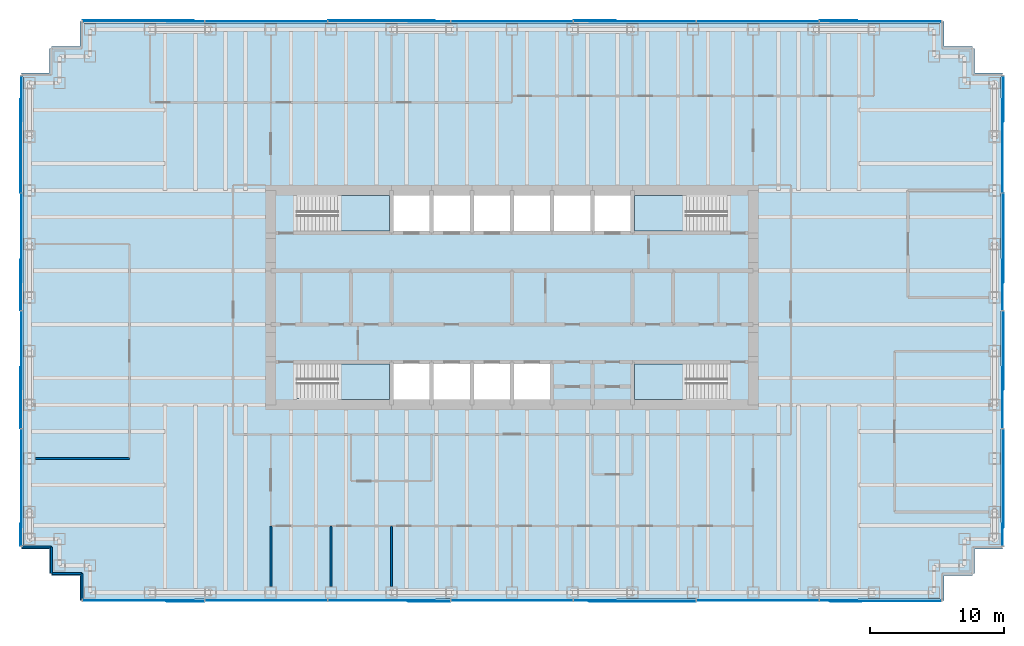
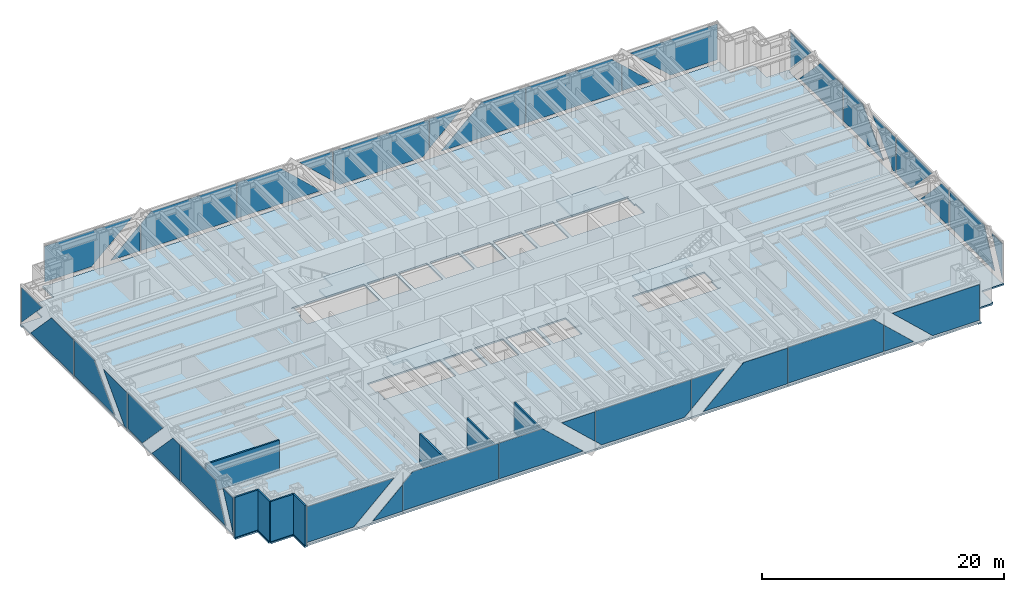
# One storey, part 10 of 16: 38 plates, 8 walls, 5 slabs, 8 elements without a shape of their own.
"""IFC4 building model written with IfcOpenShell, lengths in metres."""

from ifc_helpers import new_model, si_unit, direction, frame, frame_2d, origin, place, context, subcontext, project, spatial, polyline, rectangle, outline, extrude, material, layer, layer_set, type_object, element, aggregate, save


model = new_model("IFC4")

# Units and contexts
model_context = context("Model", 3, precision=1e-05, world=origin(), true_north=direction((0.0, 1.0)))
body_context = subcontext(model_context, "Body", "Model", "MODEL_VIEW")
ifc_project = project(units=[si_unit("LENGTHUNIT", "METRE"), si_unit("AREAUNIT", "SQUARE_METRE"), si_unit("VOLUMEUNIT", "CUBIC_METRE"), si_unit("PLANEANGLEUNIT", "RADIAN"), si_unit("MASSUNIT", "GRAM", prefix="KILO")], contexts=[model_context])

# Site, building, storey
site_placement = place(None, origin())
site = spatial("IfcSite", under=ifc_project, at=site_placement, CompositionType="ELEMENT")
building_placement = place(site_placement, origin())
building = spatial("IfcBuilding", under=site, at=building_placement, Name="Rheinbord Bourse Tower", CompositionType="ELEMENT")
storey_placement = place(building_placement, frame((0.0, 0.0, 219.39990234375)))
storey = spatial("IfcBuildingStorey", under=building, at=storey_placement, Name="L49", CompositionType="ELEMENT", Elevation=219.39990234375)

# Slab
ifc_material_1 = material(Name="Concrete C30/37", Category="concrete")
ifc_layer_1 = layer(ifc_material_1, 0.159912109375)
ifc_layer_set_1 = layer_set([ifc_layer_1], Name="COMPOSITE FLOOR SLAB 160")
slab_type_1 = type_object("IfcSlabType", Name="COMPOSITE FLOOR SLAB 160", PredefinedType="FLOOR", material=ifc_layer_set_1)
slab_1_placement = place(storey_placement, frame((0.0, 0.0, -0.159912109375)))
element("IfcSlab", 1, at=slab_1_placement, inside=storey, type_object=slab_type_1, Name="Floor slab L49", PredefinedType="FLOOR", context=body_context, shape_type="SweptSolid", body=[
    extrude(outline(polyline([(1.64990234375, 3.39990234375), (1.5, 3.39990234375), (1.5, 5.25), (-0.60009765625, 5.25), (-0.60009765625, 5.550048828125), (-0.5, 5.550048828125), (-0.5, 40.449951171875), (-0.60009765625, 40.449951171875), (-0.60009765625, 40.75), (1.5, 40.75), (1.5, 42.60009765625), (1.64990234375, 42.60009765625), (1.64990234375, 42.75), (3.75, 42.75), (3.75, 44.60009765625), (4.050048828125, 44.60009765625), (4.050048828125, 44.5), (67.949951171875, 44.5), (67.949951171875, 44.60009765625), (68.25, 44.60009765625), (68.25, 42.75), (70.35009765625, 42.75), (70.35009765625, 42.60009765625), (70.5, 42.60009765625), (70.5, 40.75), (72.60009765625, 40.75), (72.60009765625, 40.449951171875), (72.5, 40.449951171875), (72.5, 5.550048828125), (72.60009765625, 5.550048828125), (72.60009765625, 5.25), (70.5, 5.25), (70.5, 3.39990234375), (70.35009765625, 3.39990234375), (70.35009765625, 3.25), (68.25, 3.25), (68.25, 1.39990234375), (67.949951171875, 1.39990234375), (67.949951171875, 1.5), (4.050048828125, 1.5), (4.050048828125, 1.39990234375), (3.75, 1.39990234375), (3.75, 3.25), (1.64990234375, 3.25), (1.64990234375, 3.39990234375)]), holes=[polyline([(19.949951171875, 19.050048828125), (26.85009765625, 19.050048828125), (26.85009765625, 16.39990234375), (19.949951171875, 16.39990234375), (19.949951171875, 16.449951171875), (20.10009765625, 16.449951171875), (20.10009765625, 17.64990234375), (19.949951171875, 17.64990234375), (19.949951171875, 19.050048828125)]), polyline([(19.949951171875, 31.60009765625), (26.85009765625, 31.60009765625), (26.85009765625, 28.949951171875), (19.949951171875, 28.949951171875), (19.949951171875, 30.35009765625), (20.10009765625, 30.35009765625), (20.10009765625, 31.550048828125), (19.949951171875, 31.550048828125), (19.949951171875, 31.60009765625)]), polyline([(52.050048828125, 16.39990234375), (45.14990234375, 16.39990234375), (45.14990234375, 19.050048828125), (52.050048828125, 19.050048828125), (52.050048828125, 17.64990234375), (51.89990234375, 17.64990234375), (51.89990234375, 16.449951171875), (52.050048828125, 16.449951171875), (52.050048828125, 16.39990234375)]), polyline([(52.050048828125, 28.949951171875), (45.14990234375, 28.949951171875), (45.14990234375, 31.60009765625), (52.050048828125, 31.60009765625), (52.050048828125, 31.550048828125), (51.89990234375, 31.550048828125), (51.89990234375, 30.35009765625), (52.050048828125, 30.35009765625), (52.050048828125, 28.949951171875)]), polyline([(27.14990234375, 16.39990234375), (27.14990234375, 19.050048828125), (29.85009765625, 19.050048828125), (29.85009765625, 16.39990234375), (27.14990234375, 16.39990234375)]), polyline([(27.14990234375, 28.949951171875), (27.14990234375, 31.60009765625), (29.85009765625, 31.60009765625), (29.85009765625, 28.949951171875), (27.14990234375, 28.949951171875)]), polyline([(30.14990234375, 16.39990234375), (30.14990234375, 19.050048828125), (32.85009765625, 19.050048828125), (32.85009765625, 16.39990234375), (30.14990234375, 16.39990234375)]), polyline([(30.14990234375, 28.949951171875), (30.14990234375, 31.60009765625), (32.85009765625, 31.60009765625), (32.85009765625, 28.949951171875), (30.14990234375, 28.949951171875)]), polyline([(33.14990234375, 16.39990234375), (33.14990234375, 19.050048828125), (35.85009765625, 19.050048828125), (35.85009765625, 16.39990234375), (33.14990234375, 16.39990234375)]), polyline([(33.14990234375, 28.949951171875), (33.14990234375, 31.60009765625), (35.85009765625, 31.60009765625), (35.85009765625, 28.949951171875), (33.14990234375, 28.949951171875)]), polyline([(36.14990234375, 16.39990234375), (36.14990234375, 19.050048828125), (38.85009765625, 19.050048828125), (38.85009765625, 16.39990234375), (36.14990234375, 16.39990234375)]), polyline([(36.14990234375, 28.949951171875), (36.14990234375, 31.60009765625), (38.85009765625, 31.60009765625), (38.85009765625, 28.949951171875), (36.14990234375, 28.949951171875)]), polyline([(39.14990234375, 28.949951171875), (39.14990234375, 31.60009765625), (41.85009765625, 31.60009765625), (41.85009765625, 28.949951171875), (39.14990234375, 28.949951171875)]), polyline([(42.14990234375, 28.949951171875), (42.14990234375, 31.60009765625), (44.85009765625, 31.60009765625), (44.85009765625, 28.949951171875), (42.14990234375, 28.949951171875)])]), origin(), (0.0, 0.0, 1.0), 0.159912109375),
])

# Curtain wall, plates
ifc_material_2 = material(Name="Dark glass and black aluminium", Category="aluminium")
curtain_wall_type = type_object("IfcCurtainWallType", Name="CW2 DARK GLASS CURTAIN WALL", PredefinedType="USERDEFINED", material=ifc_material_2)
curtain_wall_1_placement = place(storey_placement, origin())
curtain_wall_1 = element("IfcCurtainWall", 2, at=curtain_wall_1_placement, inside=storey, type_object=curtain_wall_type, Name="Curtain wall CW2 S L49", ObjectType="UNITISED CURTAIN WALL", PredefinedType="USERDEFINED")
ifc_material_3 = material(Name="Dark tinted triple insulating glass", Category="glass")
ifc_layer_2 = layer(ifc_material_3, 0.050048828125)
ifc_layer_set_2 = layer_set([ifc_layer_2], Name="CW2 DARK GLASS PANEL")
plate_type = type_object("IfcPlateType", Name="CW2 DARK GLASS PANEL", PredefinedType="CURTAIN_PANEL", material=ifc_layer_set_2)
plate_1_placement = place(storey_placement, frame((3.969970703125, 1.375, 0.300048828125), z_axis=(0.0, 1.0, 0.0), x_axis=(0.0, 0.0, 1.0)))
plate_1 = element("IfcPlate", 3, at=plate_1_placement, type_object=plate_type, Name="CW2 glass facet 1", PredefinedType="CURTAIN_PANEL", context=body_context, shape_type="SweptSolid", body=[
    extrude(outline(polyline([(0.0, 0.0), (3.60009765625, 0.0), (3.60009765625, 8.322021484375), (0.0, 4.465087890625), (0.0, 0.0)])), origin(), (0.0, 0.0, 1.0), 0.050048828125),
])
plate_2_placement = place(storey_placement, frame((13.035888671875, 1.31982421875, 0.300048828125), z_axis=(0.0, 1.0, 0.0), x_axis=(-1.0, 0.0, 0.0)))
plate_2 = element("IfcPlate", 4, at=plate_2_placement, type_object=plate_type, Name="CW2 glass facet 2", PredefinedType="CURTAIN_PANEL", context=body_context, shape_type="SweptSolid", body=[
    extrude(outline(polyline([(0.0, 0.0), (2.827880859375, 0.0), (0.0, 2.64013671875), (0.0, 0.0)])), origin(), (0.0, 0.0, 1.0), 0.050048828125),
])
plate_3_placement = place(storey_placement, frame((22.2080078125, 1.375, 3.900146484375), z_axis=(0.0, 1.0, 0.0), x_axis=(0.0, 0.0, -1.0)))
plate_3 = element("IfcPlate", 5, at=plate_3_placement, type_object=plate_type, Name="CW2 glass facet 1", PredefinedType="CURTAIN_PANEL", context=body_context, shape_type="SweptSolid", body=[
    extrude(outline(polyline([(0.0, 0.0), (3.60009765625, 0.0), (3.60009765625, 9.10205078125), (0.89501953125, 9.10205078125), (0.0, 8.14306640625), (0.0, 0.0)])), origin(), (0.0, 0.0, 1.0), 0.050048828125),
])
plate_4_placement = place(storey_placement, frame((22.278076171875, 1.375, 0.300048828125), z_axis=(0.0, 1.0, 0.0), x_axis=(0.0, 0.0, 1.0)))
plate_4 = element("IfcPlate", 6, at=plate_4_placement, type_object=plate_type, Name="CW2 glass facet 1", PredefinedType="CURTAIN_PANEL", context=body_context, shape_type="SweptSolid", body=[
    extrude(outline(polyline([(0.0, 0.0), (3.60009765625, 0.0), (3.60009765625, 4.156982421875), (0.0, 8.013916015625), (0.0, 0.0)])), origin(), (0.0, 0.0, 1.0), 0.050048828125),
])
plate_5_placement = place(storey_placement, frame((31.37890625, 1.31982421875, 3.900146484375), z_axis=(0.0, 1.0, 0.0), x_axis=(0.0, 0.0, -1.0)))
plate_5 = element("IfcPlate", 7, at=plate_5_placement, type_object=plate_type, Name="CW2 glass facet 2", PredefinedType="CURTAIN_PANEL", context=body_context, shape_type="SweptSolid", body=[
    extrude(outline(polyline([(0.0, 0.0), (2.9599609375, 0.0), (0.0, 3.1708984375), (0.0, 0.0)])), origin(), (0.0, 0.0, 1.0), 0.050048828125),
])
plate_6_placement = place(storey_placement, frame((32.06494140625, 1.375, 0.300048828125), z_axis=(0.0, 1.0, 0.0), x_axis=(-0.731026361921, 0.0, 0.682349220104)))
plate_6 = element("IfcPlate", 8, at=plate_6_placement, type_object=plate_type, Name="CW2 glass facet 1", PredefinedType="CURTAIN_PANEL", context=body_context, shape_type="SweptSolid", body=[
    extrude(outline(polyline([(0.0, 0.0), (0.842529296875, 0.0), (2.90673828125, 2.21142578125), (-3.7470703125, 8.422119140625), (-5.811279296875, 6.210693359375), (-5.753173828125, 5.3701171875), (0.0, 0.0)])), origin(), (0.0, 0.0, 1.0), 0.050048828125),
])
plate_7_placement = place(storey_placement, frame((40.62109375, 1.375, 3.900146484375), z_axis=(0.0, 1.0, 0.0), x_axis=(1.0, 0.0, 0.0)))
plate_7 = element("IfcPlate", 9, at=plate_7_placement, type_object=plate_type, Name="CW2 glass facet 1", PredefinedType="CURTAIN_PANEL", context=body_context, shape_type="SweptSolid", body=[
    extrude(outline(polyline([(0.0, 0.0), (3.1708984375, 0.0), (0.0, 2.9599609375), (0.0, 0.0)])), origin(), (0.0, 0.0, 1.0), 0.050048828125),
])
plate_8_placement = place(storey_placement, frame((49.721923828125, 1.31982421875, 3.900146484375), z_axis=(0.0, 1.0, 0.0), x_axis=(0.0, 0.0, -1.0)))
plate_8 = element("IfcPlate", 10, at=plate_8_placement, type_object=plate_type, Name="CW2 glass facet 2", PredefinedType="CURTAIN_PANEL", context=body_context, shape_type="SweptSolid", body=[
    extrude(outline(polyline([(0.0, 0.0), (3.60009765625, 0.0), (3.60009765625, 8.013916015625), (0.0, 4.156982421875), (0.0, 0.0)])), origin(), (0.0, 0.0, 1.0), 0.050048828125),
])
plate_9_placement = place(storey_placement, frame((58.89404296875, 1.375, 0.300048828125), z_axis=(0.0, 1.0, 0.0), x_axis=(-1.0, 0.0, 0.0)))
plate_9 = element("IfcPlate", 11, at=plate_9_placement, type_object=plate_type, Name="CW2 glass facet 1", PredefinedType="CURTAIN_PANEL", context=body_context, shape_type="SweptSolid", body=[
    extrude(outline(polyline([(0.0, 0.0), (9.10205078125, 0.0), (9.10205078125, 3.60009765625), (0.958984375, 3.60009765625), (0.0, 2.705078125), (0.0, 0.0)])), origin(), (0.0, 0.0, 1.0), 0.050048828125),
])
plate_10_placement = place(storey_placement, frame((58.964111328125, 1.375, 0.300048828125), z_axis=(0.0, 1.0, 0.0), x_axis=(0.0, 0.0, 1.0)))
plate_10 = element("IfcPlate", 12, at=plate_10_placement, type_object=plate_type, Name="CW2 glass facet 1", PredefinedType="CURTAIN_PANEL", context=body_context, shape_type="SweptSolid", body=[
    extrude(outline(polyline([(0.0, 0.0), (2.64013671875, 0.0), (0.0, 2.827880859375), (0.0, 0.0)])), origin(), (0.0, 0.0, 1.0), 0.050048828125),
])
plate_11_placement = place(storey_placement, frame((68.030029296875, 1.31982421875, 3.900146484375), z_axis=(0.0, 1.0, 0.0), x_axis=(0.0, 0.0, -1.0)))
plate_11 = element("IfcPlate", 13, at=plate_11_placement, type_object=plate_type, Name="CW2 glass facet 2", PredefinedType="CURTAIN_PANEL", context=body_context, shape_type="SweptSolid", body=[
    extrude(outline(polyline([(0.0, 0.0), (3.60009765625, 0.0), (3.60009765625, 4.465087890625), (0.0, 8.322021484375), (0.0, 0.0)])), origin(), (0.0, 0.0, 1.0), 0.050048828125),
])
aggregate(curtain_wall_1, [plate_1, plate_2, plate_3, plate_4, plate_5, plate_6, plate_7, plate_8, plate_9, plate_10, plate_11])

curtain_wall_2_placement = place(storey_placement, origin())
curtain_wall_2 = element("IfcCurtainWall", 14, at=curtain_wall_2_placement, inside=storey, type_object=curtain_wall_type, Name="Curtain wall CW2 E L49", ObjectType="UNITISED CURTAIN WALL", PredefinedType="USERDEFINED")
plate_12_placement = place(storey_placement, frame((72.625, 5.469970703125, 0.300048828125), z_axis=(-1.0, 0.0, 0.0), x_axis=(0.0, 0.0, 1.0)))
plate_12 = element("IfcPlate", 15, at=plate_12_placement, type_object=plate_type, Name="CW2 glass facet 1", PredefinedType="CURTAIN_PANEL", context=body_context, shape_type="SweptSolid", body=[
    extrude(outline(polyline([(0.0, 0.0), (3.60009765625, 0.0), (3.60009765625, 1.717041015625), (0.0, 0.0029296875), (0.0, 0.0)])), origin(), (0.0, 0.0, 1.0), 0.050048828125),
])
plate_13_placement = place(storey_placement, frame((72.68017578125, 14.1650390625, 3.900146484375), z_axis=(-1.0, 0.0, 0.0), x_axis=(0.0, 0.0, -1.0)))
plate_13 = element("IfcPlate", 16, at=plate_13_placement, type_object=plate_type, Name="CW2 glass facet 2", PredefinedType="CURTAIN_PANEL", context=body_context, shape_type="SweptSolid", body=[
    extrude(outline(polyline([(0.0, 0.0), (3.60009765625, 0.0), (3.60009765625, 7.35205078125), (0.0, 5.637939453125), (0.0, 0.0)])), origin(), (0.0, 0.0, 1.0), 0.050048828125),
])
plate_14_placement = place(storey_placement, frame((72.625, 14.235107421875, 0.300048828125), z_axis=(-1.0, 0.0, 0.0), x_axis=(0.0, 0.0, 1.0)))
plate_14 = element("IfcPlate", 17, at=plate_14_placement, type_object=plate_type, Name="CW2 glass facet 1", PredefinedType="CURTAIN_PANEL", context=body_context, shape_type="SweptSolid", body=[
    extrude(outline(polyline([(0.0, 0.0), (3.60009765625, 0.0), (3.60009765625, 1.21484375), (0.0, 4.643798828125), (0.0, 0.0)])), origin(), (0.0, 0.0, 1.0), 0.050048828125),
])
plate_15_placement = place(storey_placement, frame((72.68017578125, 22.965087890625, 3.900146484375), z_axis=(-1.0, 0.0, 0.0), x_axis=(0.0, 0.0, -1.0)))
plate_15 = element("IfcPlate", 18, at=plate_15_placement, type_object=plate_type, Name="CW2 glass facet 2", PredefinedType="CURTAIN_PANEL", context=body_context, shape_type="SweptSolid", body=[
    extrude(outline(polyline([(0.0, 0.0), (3.60009765625, 0.0), (3.60009765625, 2.4150390625), (0.0, 5.843994140625), (0.0, 0.0)])), origin(), (0.0, 0.0, 1.0), 0.050048828125),
])
plate_16_placement = place(storey_placement, frame((72.625, 23.034912109375, 0.300048828125), z_axis=(-1.0, 0.0, 0.0), x_axis=(0.0, 0.0, 1.0)))
plate_16 = element("IfcPlate", 19, at=plate_16_placement, type_object=plate_type, Name="CW2 glass facet 1", PredefinedType="CURTAIN_PANEL", context=body_context, shape_type="SweptSolid", body=[
    extrude(outline(polyline([(0.0, 0.0), (3.60009765625, 0.0), (3.60009765625, 3.843994140625), (0.0, 0.4150390625), (0.0, 0.0)])), origin(), (0.0, 0.0, 1.0), 0.050048828125),
])
plate_17_placement = place(storey_placement, frame((72.68017578125, 31.764892578125, 3.900146484375), z_axis=(-1.0, 0.0, 0.0), x_axis=(0.0, 0.0, -1.0)))
plate_17 = element("IfcPlate", 20, at=plate_17_placement, type_object=plate_type, Name="CW2 glass facet 2", PredefinedType="CURTAIN_PANEL", context=body_context, shape_type="SweptSolid", body=[
    extrude(outline(polyline([(0.0, 0.0), (3.60009765625, 0.0), (3.60009765625, 6.643798828125), (0.0, 3.21484375), (0.0, 0.0)])), origin(), (0.0, 0.0, 1.0), 0.050048828125),
])
plate_18_placement = place(storey_placement, frame((72.625, 31.8349609375, 0.300048828125), z_axis=(-1.0, 0.0, 0.0), x_axis=(0.0, 0.0, 1.0)))
plate_18 = element("IfcPlate", 21, at=plate_18_placement, type_object=plate_type, Name="CW2 glass facet 1", PredefinedType="CURTAIN_PANEL", context=body_context, shape_type="SweptSolid", body=[
    extrude(outline(polyline([(0.0, 0.0), (3.60009765625, 0.0), (3.60009765625, 3.614990234375), (0.0, 7.0439453125), (0.0, 0.0)])), origin(), (0.0, 0.0, 1.0), 0.050048828125),
])
plate_19_placement = place(storey_placement, frame((72.68017578125, 40.530029296875, 3.900146484375), z_axis=(-1.0, 0.0, 0.0), x_axis=(0.0, 0.0, -1.0)))
plate_19 = element("IfcPlate", 22, at=plate_19_placement, type_object=plate_type, Name="CW2 glass facet 2", PredefinedType="CURTAIN_PANEL", context=body_context, shape_type="SweptSolid", body=[
    extrude(outline(polyline([(0.0, 0.0), (3.5791015625, 0.0), (0.0, 3.408935546875), (0.0, 0.0)])), origin(), (0.0, 0.0, 1.0), 0.050048828125),
])
aggregate(curtain_wall_2, [plate_12, plate_13, plate_14, plate_15, plate_16, plate_17, plate_18, plate_19])

curtain_wall_3_placement = place(storey_placement, origin())
curtain_wall_3 = element("IfcCurtainWall", 23, at=curtain_wall_3_placement, inside=storey, type_object=curtain_wall_type, Name="Curtain wall CW2 N L49", ObjectType="UNITISED CURTAIN WALL", PredefinedType="USERDEFINED")
plate_20_placement = place(storey_placement, frame((68.030029296875, 44.625, 0.300048828125), z_axis=(0.0, -1.0, 0.0), x_axis=(0.0, 0.0, 1.0)))
plate_20 = element("IfcPlate", 24, at=plate_20_placement, type_object=plate_type, Name="CW2 glass facet 1", PredefinedType="CURTAIN_PANEL", context=body_context, shape_type="SweptSolid", body=[
    extrude(outline(polyline([(0.0, 0.0), (3.60009765625, 0.0), (3.60009765625, 8.322021484375), (0.0, 4.465087890625), (0.0, 0.0)])), origin(), (0.0, 0.0, 1.0), 0.050048828125),
])
plate_21_placement = place(storey_placement, frame((58.964111328125, 44.68017578125, 0.300048828125), z_axis=(0.0, -1.0, 0.0), x_axis=(1.0, 0.0, 0.0)))
plate_21 = element("IfcPlate", 25, at=plate_21_placement, type_object=plate_type, Name="CW2 glass facet 2", PredefinedType="CURTAIN_PANEL", context=body_context, shape_type="SweptSolid", body=[
    extrude(outline(polyline([(0.0, 0.0), (2.827880859375, 0.0), (0.0, 2.64013671875), (0.0, 0.0)])), origin(), (0.0, 0.0, 1.0), 0.050048828125),
])
plate_22_placement = place(storey_placement, frame((49.7919921875, 44.625, 3.900146484375), z_axis=(0.0, -1.0, 0.0), x_axis=(0.0, 0.0, -1.0)))
plate_22 = element("IfcPlate", 26, at=plate_22_placement, type_object=plate_type, Name="CW2 glass facet 1", PredefinedType="CURTAIN_PANEL", context=body_context, shape_type="SweptSolid", body=[
    extrude(outline(polyline([(0.0, 0.0), (3.60009765625, 0.0), (3.60009765625, 9.10205078125), (0.89501953125, 9.10205078125), (0.0, 8.14306640625), (0.0, 0.0)])), origin(), (0.0, 0.0, 1.0), 0.050048828125),
])
plate_23_placement = place(storey_placement, frame((49.721923828125, 44.625, 0.300048828125), z_axis=(0.0, -1.0, 0.0), x_axis=(0.0, 0.0, 1.0)))
plate_23 = element("IfcPlate", 27, at=plate_23_placement, type_object=plate_type, Name="CW2 glass facet 1", PredefinedType="CURTAIN_PANEL", context=body_context, shape_type="SweptSolid", body=[
    extrude(outline(polyline([(0.0, 0.0), (3.60009765625, 0.0), (3.60009765625, 4.156982421875), (0.0, 8.013916015625), (0.0, 0.0)])), origin(), (0.0, 0.0, 1.0), 0.050048828125),
])
plate_24_placement = place(storey_placement, frame((40.62109375, 44.68017578125, 3.900146484375), z_axis=(0.0, -1.0, 0.0), x_axis=(0.0, 0.0, -1.0)))
plate_24 = element("IfcPlate", 28, at=plate_24_placement, type_object=plate_type, Name="CW2 glass facet 2", PredefinedType="CURTAIN_PANEL", context=body_context, shape_type="SweptSolid", body=[
    extrude(outline(polyline([(0.0, 0.0), (2.9599609375, 0.0), (0.0, 3.1708984375), (0.0, 0.0)])), origin(), (0.0, 0.0, 1.0), 0.050048828125),
])
plate_25_placement = place(storey_placement, frame((39.93505859375, 44.625, 0.300048828125), z_axis=(0.0, -1.0, 0.0), x_axis=(0.731026361921, 0.0, 0.682349220104)))
plate_25 = element("IfcPlate", 29, at=plate_25_placement, type_object=plate_type, Name="CW2 glass facet 1", PredefinedType="CURTAIN_PANEL", context=body_context, shape_type="SweptSolid", body=[
    extrude(outline(polyline([(0.0, 0.0), (0.842529296875, 0.0), (2.90673828125, 2.21142578125), (-3.7470703125, 8.422119140625), (-5.811279296875, 6.210693359375), (-5.753173828125, 5.3701171875), (0.0, 0.0)])), origin(), (0.0, 0.0, 1.0), 0.050048828125),
])
plate_26_placement = place(storey_placement, frame((31.37890625, 44.625, 3.900146484375), z_axis=(0.0, -1.0, 0.0), x_axis=(-1.0, 0.0, 0.0)))
plate_26 = element("IfcPlate", 30, at=plate_26_placement, type_object=plate_type, Name="CW2 glass facet 1", PredefinedType="CURTAIN_PANEL", context=body_context, shape_type="SweptSolid", body=[
    extrude(outline(polyline([(0.0, 0.0), (3.1708984375, 0.0), (0.0, 2.9599609375), (0.0, 0.0)])), origin(), (0.0, 0.0, 1.0), 0.050048828125),
])
plate_27_placement = place(storey_placement, frame((22.278076171875, 44.68017578125, 3.900146484375), z_axis=(0.0, -1.0, 0.0), x_axis=(0.0, 0.0, -1.0)))
plate_27 = element("IfcPlate", 31, at=plate_27_placement, type_object=plate_type, Name="CW2 glass facet 2", PredefinedType="CURTAIN_PANEL", context=body_context, shape_type="SweptSolid", body=[
    extrude(outline(polyline([(0.0, 0.0), (3.60009765625, 0.0), (3.60009765625, 8.013916015625), (0.0, 4.156982421875), (0.0, 0.0)])), origin(), (0.0, 0.0, 1.0), 0.050048828125),
])
plate_28_placement = place(storey_placement, frame((13.10595703125, 44.625, 0.300048828125), z_axis=(0.0, -1.0, 0.0), x_axis=(1.0, 0.0, 0.0)))
plate_28 = element("IfcPlate", 32, at=plate_28_placement, type_object=plate_type, Name="CW2 glass facet 1", PredefinedType="CURTAIN_PANEL", context=body_context, shape_type="SweptSolid", body=[
    extrude(outline(polyline([(0.0, 0.0), (9.10205078125, 0.0), (9.10205078125, 3.60009765625), (0.958984375, 3.60009765625), (0.0, 2.705078125), (0.0, 0.0)])), origin(), (0.0, 0.0, 1.0), 0.050048828125),
])
plate_29_placement = place(storey_placement, frame((13.035888671875, 44.625, 0.300048828125), z_axis=(0.0, -1.0, 0.0), x_axis=(0.0, 0.0, 1.0)))
plate_29 = element("IfcPlate", 33, at=plate_29_placement, type_object=plate_type, Name="CW2 glass facet 1", PredefinedType="CURTAIN_PANEL", context=body_context, shape_type="SweptSolid", body=[
    extrude(outline(polyline([(0.0, 0.0), (2.64013671875, 0.0), (0.0, 2.827880859375), (0.0, 0.0)])), origin(), (0.0, 0.0, 1.0), 0.050048828125),
])
plate_30_placement = place(storey_placement, frame((3.969970703125, 44.68017578125, 3.900146484375), z_axis=(0.0, -1.0, 0.0), x_axis=(0.0, 0.0, -1.0)))
plate_30 = element("IfcPlate", 34, at=plate_30_placement, type_object=plate_type, Name="CW2 glass facet 2", PredefinedType="CURTAIN_PANEL", context=body_context, shape_type="SweptSolid", body=[
    extrude(outline(polyline([(0.0, 0.0), (3.60009765625, 0.0), (3.60009765625, 4.465087890625), (0.0, 8.322021484375), (0.0, 0.0)])), origin(), (0.0, 0.0, 1.0), 0.050048828125),
])
aggregate(curtain_wall_3, [plate_20, plate_21, plate_22, plate_23, plate_24, plate_25, plate_26, plate_27, plate_28, plate_29, plate_30])

curtain_wall_4_placement = place(storey_placement, origin())
curtain_wall_4 = element("IfcCurtainWall", 35, at=curtain_wall_4_placement, inside=storey, type_object=curtain_wall_type, Name="Curtain wall CW2 W L49", ObjectType="UNITISED CURTAIN WALL", PredefinedType="USERDEFINED")
plate_31_placement = place(storey_placement, frame((-0.625, 40.530029296875, 3.900146484375), z_axis=(1.0, 0.0, 0.0), x_axis=(0.0, -1.0, 0.0)))
plate_31 = element("IfcPlate", 36, at=plate_31_placement, type_object=plate_type, Name="CW2 glass facet 1", PredefinedType="CURTAIN_PANEL", context=body_context, shape_type="SweptSolid", body=[
    extrude(outline(polyline([(0.0, 0.0), (3.408935546875, 0.0), (0.0, 3.5791015625), (0.0, 0.0)])), origin(), (0.0, 0.0, 1.0), 0.050048828125),
])
plate_32_placement = place(storey_placement, frame((-0.68017578125, 31.8349609375, 3.900146484375), z_axis=(1.0, 0.0, 0.0), x_axis=(0.0, 0.0, -1.0)))
plate_32 = element("IfcPlate", 37, at=plate_32_placement, type_object=plate_type, Name="CW2 glass facet 2", PredefinedType="CURTAIN_PANEL", context=body_context, shape_type="SweptSolid", body=[
    extrude(outline(polyline([(0.0, 0.0), (3.60009765625, 0.0), (3.60009765625, 7.0439453125), (0.0, 3.614990234375), (0.0, 0.0)])), origin(), (0.0, 0.0, 1.0), 0.050048828125),
])
plate_33_placement = place(storey_placement, frame((-0.625, 31.764892578125, 0.300048828125), z_axis=(1.0, 0.0, 0.0), x_axis=(0.0, 0.0, 1.0)))
plate_33 = element("IfcPlate", 38, at=plate_33_placement, type_object=plate_type, Name="CW2 glass facet 1", PredefinedType="CURTAIN_PANEL", context=body_context, shape_type="SweptSolid", body=[
    extrude(outline(polyline([(0.0, 0.0), (3.60009765625, 0.0), (3.60009765625, 3.21484375), (0.0, 6.643798828125), (0.0, 0.0)])), origin(), (0.0, 0.0, 1.0), 0.050048828125),
])
plate_34_placement = place(storey_placement, frame((-0.68017578125, 23.034912109375, 3.900146484375), z_axis=(1.0, 0.0, 0.0), x_axis=(0.0, 0.0, -1.0)))
plate_34 = element("IfcPlate", 39, at=plate_34_placement, type_object=plate_type, Name="CW2 glass facet 2", PredefinedType="CURTAIN_PANEL", context=body_context, shape_type="SweptSolid", body=[
    extrude(outline(polyline([(0.0, 0.0), (3.60009765625, 0.0), (3.60009765625, 0.4150390625), (0.0, 3.843994140625), (0.0, 0.0)])), origin(), (0.0, 0.0, 1.0), 0.050048828125),
])
plate_35_placement = place(storey_placement, frame((-0.625, 22.965087890625, 0.300048828125), z_axis=(1.0, 0.0, 0.0), x_axis=(0.0, 0.0, 1.0)))
plate_35 = element("IfcPlate", 40, at=plate_35_placement, type_object=plate_type, Name="CW2 glass facet 1", PredefinedType="CURTAIN_PANEL", context=body_context, shape_type="SweptSolid", body=[
    extrude(outline(polyline([(0.0, 0.0), (3.60009765625, 0.0), (3.60009765625, 5.843994140625), (0.0, 2.4150390625), (0.0, 0.0)])), origin(), (0.0, 0.0, 1.0), 0.050048828125),
])
plate_36_placement = place(storey_placement, frame((-0.68017578125, 14.235107421875, 3.900146484375), z_axis=(1.0, 0.0, 0.0), x_axis=(0.0, 0.0, -1.0)))
plate_36 = element("IfcPlate", 41, at=plate_36_placement, type_object=plate_type, Name="CW2 glass facet 2", PredefinedType="CURTAIN_PANEL", context=body_context, shape_type="SweptSolid", body=[
    extrude(outline(polyline([(0.0, 0.0), (3.60009765625, 0.0), (3.60009765625, 4.643798828125), (0.0, 1.21484375), (0.0, 0.0)])), origin(), (0.0, 0.0, 1.0), 0.050048828125),
])
plate_37_placement = place(storey_placement, frame((-0.625, 14.1650390625, 0.300048828125), z_axis=(1.0, 0.0, 0.0), x_axis=(0.0, 0.0, 1.0)))
plate_37 = element("IfcPlate", 42, at=plate_37_placement, type_object=plate_type, Name="CW2 glass facet 1", PredefinedType="CURTAIN_PANEL", context=body_context, shape_type="SweptSolid", body=[
    extrude(outline(polyline([(0.0, 0.0), (3.60009765625, 0.0), (3.60009765625, 5.637939453125), (0.0, 7.35205078125), (0.0, 0.0)])), origin(), (0.0, 0.0, 1.0), 0.050048828125),
])
plate_38_placement = place(storey_placement, frame((-0.68017578125, 5.469970703125, 3.900146484375), z_axis=(1.0, 0.0, 0.0), x_axis=(0.0, 0.0, -1.0)))
plate_38 = element("IfcPlate", 43, at=plate_38_placement, type_object=plate_type, Name="CW2 glass facet 2", PredefinedType="CURTAIN_PANEL", context=body_context, shape_type="SweptSolid", body=[
    extrude(outline(polyline([(0.0, 0.0), (3.60009765625, 0.0), (3.60009765625, 0.0029296875), (0.0, 1.717041015625), (0.0, 0.0)])), origin(), (0.0, 0.0, 1.0), 0.050048828125),
])
aggregate(curtain_wall_4, [plate_31, plate_32, plate_33, plate_34, plate_35, plate_36, plate_37, plate_38])

# Stair, slab
ifc_material_4 = material(Name="Concrete C30/37", Category="concrete")
stair_type = type_object("IfcStairType", Name="CORE STAIR HALF TURN 4200", PredefinedType="HALF_TURN_STAIR", material=ifc_material_4)
stair_1_placement = place(storey_placement, origin())
stair_1 = element("IfcStair", 44, at=stair_1_placement, inside=storey, type_object=stair_type, Name="Stair ST1 L49, type CS6", PredefinedType="HALF_TURN_STAIR")
ifc_material_5 = material(Name="Concrete C30/37", Category="concrete")
ifc_layer_3 = layer(ifc_material_5, 0.199951171875)
ifc_layer_set_3 = layer_set([ifc_layer_3], Name="STAIR LANDING 200")
slab_type_2 = type_object("IfcSlabType", Name="STAIR LANDING 200", PredefinedType="LANDING", material=ifc_layer_set_3)
slab_2_placement = place(storey_placement, frame((0.0, 0.0, 1.900146484375)))
slab_2 = element("IfcSlab", 45, at=slab_2_placement, type_object=slab_type_2, Name="Half landing ST1 L49", PredefinedType="LANDING", context=body_context, shape_type="SweptSolid", body=[
    extrude(outline(polyline([(23.030029296875, 16.39990234375), (26.85009765625, 16.39990234375), (26.85009765625, 19.050048828125), (21.748046875, 19.050048828125), (21.748046875, 17.85009765625), (23.030029296875, 17.85009765625), (23.030029296875, 16.39990234375)])), origin(), (0.0, 0.0, 1.0), 0.199951171875),
])
aggregate(stair_1, [slab_2])

stair_2_placement = place(storey_placement, origin())
stair_2 = element("IfcStair", 46, at=stair_2_placement, inside=storey, type_object=stair_type, Name="Stair ST2 L49, type CS6", PredefinedType="HALF_TURN_STAIR")
slab_3_placement = place(storey_placement, frame((0.0, 0.0, 1.900146484375)))
slab_3 = element("IfcSlab", 47, at=slab_3_placement, type_object=slab_type_2, Name="Half landing ST2 L49", PredefinedType="LANDING", context=body_context, shape_type="SweptSolid", body=[
    extrude(outline(polyline([(21.748046875, 28.949951171875), (26.85009765625, 28.949951171875), (26.85009765625, 31.60009765625), (23.030029296875, 31.60009765625), (23.030029296875, 30.14990234375), (21.748046875, 30.14990234375), (21.748046875, 28.949951171875)])), origin(), (0.0, 0.0, 1.0), 0.199951171875),
])
aggregate(stair_2, [slab_3])

stair_3_placement = place(storey_placement, origin())
stair_3 = element("IfcStair", 48, at=stair_3_placement, inside=storey, type_object=stair_type, Name="Stair ST3 L49, type CS6", PredefinedType="HALF_TURN_STAIR")
slab_4_placement = place(storey_placement, frame((0.0, 0.0, 1.900146484375)))
slab_4 = element("IfcSlab", 49, at=slab_4_placement, type_object=slab_type_2, Name="Half landing ST3 L49", PredefinedType="LANDING", context=body_context, shape_type="SweptSolid", body=[
    extrude(outline(polyline([(45.14990234375, 16.39990234375), (48.969970703125, 16.39990234375), (48.969970703125, 17.85009765625), (50.251953125, 17.85009765625), (50.251953125, 19.050048828125), (45.14990234375, 19.050048828125), (45.14990234375, 16.39990234375)])), origin(), (0.0, 0.0, 1.0), 0.199951171875),
])
aggregate(stair_3, [slab_4])

stair_4_placement = place(storey_placement, origin())
stair_4 = element("IfcStair", 50, at=stair_4_placement, inside=storey, type_object=stair_type, Name="Stair ST4 L49, type CS6", PredefinedType="HALF_TURN_STAIR")
slab_5_placement = place(storey_placement, frame((0.0, 0.0, 1.900146484375)))
slab_5 = element("IfcSlab", 51, at=slab_5_placement, type_object=slab_type_2, Name="Half landing ST4 L49", PredefinedType="LANDING", context=body_context, shape_type="SweptSolid", body=[
    extrude(outline(polyline([(45.14990234375, 28.949951171875), (50.251953125, 28.949951171875), (50.251953125, 30.14990234375), (48.969970703125, 30.14990234375), (48.969970703125, 31.60009765625), (45.14990234375, 31.60009765625), (45.14990234375, 28.949951171875)])), origin(), (0.0, 0.0, 1.0), 0.199951171875),
])
aggregate(stair_4, [slab_5])

# Walls
ifc_material_6 = material(Name="Black metal rainscreen panel", Category="aluminium")
ifc_layer_4 = layer(ifc_material_6, 0.14990234375)
ifc_layer_set_4 = layer_set([ifc_layer_4], Name="CORNER PIER CLADDING 150")
wall_type_1 = type_object("IfcWallType", Name="CORNER PIER CLADDING 150", PredefinedType="ELEMENTEDWALL", material=ifc_layer_set_4)
wall_1_placement = place(storey_placement, frame((-0.60009765625, 5.39990234375, 0.0), z_axis=(0.0, 0.0, 1.0), x_axis=(1.0, 0.0, 0.0)))
element("IfcWall", 52, at=wall_1_placement, inside=storey, type_object=wall_type_1, Name="Corner pier cladding L49 17", PredefinedType="ELEMENTEDWALL", context=body_context, shape_type="SweptSolid", body=[
    extrude(rectangle(XDim=2.25, YDim=0.14990234375, at=frame_2d((1.125, 0.0))), origin(), (0.0, 0.0, 1.0), 4.0400390625),
])
wall_2_placement = place(storey_placement, frame((1.64990234375, 5.39990234375, 0.0), z_axis=(0.0, 0.0, 1.0), x_axis=(0.0, -1.0, 0.0)))
element("IfcWall", 53, at=wall_2_placement, inside=storey, type_object=wall_type_1, Name="Corner pier cladding L49 18", PredefinedType="ELEMENTEDWALL", context=body_context, shape_type="SweptSolid", body=[
    extrude(rectangle(XDim=2.0, YDim=0.14990234375, at=frame_2d((1.0, 0.0))), origin(), (0.0, 0.0, 1.0), 4.0400390625),
])
wall_3_placement = place(storey_placement, frame((1.64990234375, 3.39990234375, 0.0), z_axis=(0.0, 0.0, 1.0), x_axis=(1.0, 0.0, 0.0)))
element("IfcWall", 54, at=wall_3_placement, inside=storey, type_object=wall_type_1, Name="Corner pier cladding L49 19", PredefinedType="ELEMENTEDWALL", context=body_context, shape_type="SweptSolid", body=[
    extrude(rectangle(XDim=2.25, YDim=0.14990234375, at=frame_2d((1.125, 0.0))), origin(), (0.0, 0.0, 1.0), 4.0400390625),
])
wall_4_placement = place(storey_placement, frame((3.89990234375, 3.39990234375, 0.0), z_axis=(0.0, 0.0, 1.0), x_axis=(0.0, -1.0, 0.0)))
element("IfcWall", 55, at=wall_4_placement, inside=storey, type_object=wall_type_1, Name="Corner pier cladding L49 20", PredefinedType="ELEMENTEDWALL", context=body_context, shape_type="SweptSolid", body=[
    extrude(rectangle(XDim=2.0, YDim=0.14990234375, at=frame_2d((1.0, 0.0))), origin(), (0.0, 0.0, 1.0), 4.0400390625),
])
ifc_material_7 = material(Name="Gypsum board partition", Category="gypsum board")
ifc_layer_5 = layer(ifc_material_7, 0.14990234375)
ifc_layer_set_5 = layer_set([ifc_layer_5], Name="PARTITION 150")
wall_type_2 = type_object("IfcWallType", Name="PARTITION 150", PredefinedType="PARTITIONING", material=ifc_layer_set_5)
wall_5_placement = place(storey_placement, frame((0.449951171875, 12.0, 0.0), z_axis=(0.0, 0.0, 1.0), x_axis=(1.0, 0.0, 0.0)))
element("IfcWall", 56, at=wall_5_placement, inside=storey, type_object=wall_type_2, Name="Partition L49-05", PredefinedType="PARTITIONING", context=body_context, shape_type="SweptSolid", body=[
    extrude(rectangle(XDim=7.0, YDim=0.14990234375, at=frame_2d((3.5, 0.0))), origin(), (0.0, 0.0, 1.0), 3.0),
])
for number, where, z_axis, x_axis, name in (
    (57, (18.0, 2.449951171875, 0.0), (0.0, 0.0, 1.0), (0.0, 1.0, 0.0), "Partition L49-20"),
    (58, (22.5, 2.449951171875, 0.0), (0.0, 0.0, 1.0), (0.0, 1.0, 0.0), "Partition L49-24"),
    (59, (27.0, 2.449951171875, 0.0), (0.0, 0.0, 1.0), (0.0, 1.0, 0.0), "Partition L49-26"),
):
    element("IfcWall", number, at=place(storey_placement, frame(where, z_axis=z_axis, x_axis=x_axis)), inside=storey, type_object=wall_type_2, Name=name, PredefinedType="PARTITIONING", context=body_context, shape_type="SweptSolid", body=[
        extrude(rectangle(XDim=4.5, YDim=0.14990234375, at=frame_2d((2.25, 0.0))), origin(), (0.0, 0.0, 1.0), 3.0),
    ])

save(model, "model.ifc")
